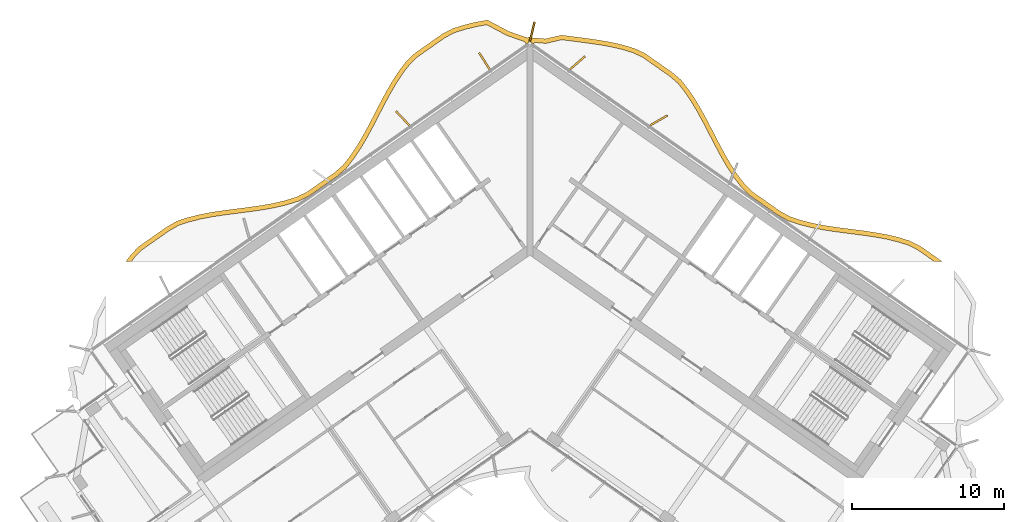
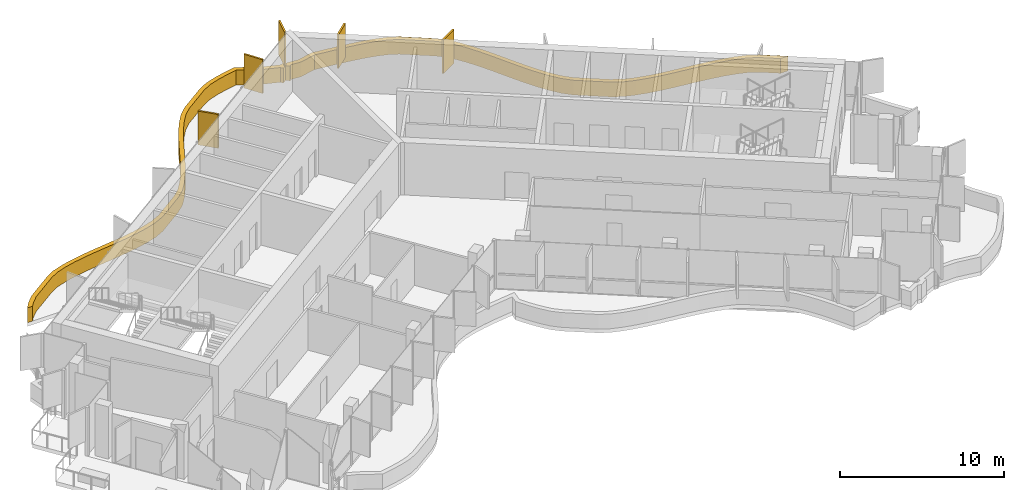
# One storey, part 17 of 18: 6 shading devices.
"""IFC4 building model written with IfcOpenShell, lengths in metres."""

from ifc_helpers import new_model, si_unit, direction, frame, origin, origin_2d, place, context, subcontext, project, spatial, polyline, rectangle, outline, extrude, material, layer, layer_set, type_object, element, save


model = new_model("IFC4")

# Units and contexts
model_context = context("Model", 3, precision=1e-05, world=origin(), true_north=direction((0.0, 1.0)))
body_context = subcontext(model_context, "Body", "Model", "MODEL_VIEW")
ifc_project = project(units=[si_unit("LENGTHUNIT", "METRE"), si_unit("AREAUNIT", "SQUARE_METRE"), si_unit("VOLUMEUNIT", "CUBIC_METRE"), si_unit("PLANEANGLEUNIT", "RADIAN"), si_unit("MASSUNIT", "GRAM", prefix="KILO")], contexts=[model_context])

# Site, building, storey
site_placement = place(None, origin())
site = spatial("IfcSite", under=ifc_project, at=site_placement, CompositionType="ELEMENT")
building_placement = place(site_placement, origin())
building = spatial("IfcBuilding", under=site, at=building_placement, Name="Tel Ilan Convention Tower", CompositionType="ELEMENT")
storey_placement = place(building_placement, frame((0.0, 0.0, 295.60009765625)))
storey = spatial("IfcBuildingStorey", under=building, at=storey_placement, Name="L70", CompositionType="ELEMENT", Elevation=295.60009765625)

# Shading devices
ifc_material_1 = material(Name="Aluminium, bronze anodised", Category="aluminium")
ifc_layer_1 = layer(ifc_material_1, 0.1201171875)
ifc_layer_set_1 = layer_set([ifc_layer_1], Name="FIN BRONZE 1300x120")
shading_device_type_1 = type_object("IfcShadingDeviceType", Name="FIN BRONZE 1300x120", PredefinedType="USERDEFINED", material=ifc_layer_set_1)
for number, where, z_axis, x_axis, name in (
    (1, (8.47509765625, 7.63330078125, 1.099853515625), (0.0, 0.0, 1.0), (0.866025403784, 0.5, 0.0), "FIN"),
    (2, (3.13037109375, 11.41357421875, 1.099853515625), (0.0, 0.0, 1.0), (0.753435896329, 0.657521368568, 0.0), "FIN"),
    (3, (0.156005859375, 13.463134765625, 1.099853515625), (0.0, 0.0, 1.0), (0.240039791311, 0.970763049661, 0.0), "FIN"),
    (4, (-2.98046875, 11.526611328125, 1.099853515625), (0.0, 0.0, 1.0), (-0.533204432798, 0.845986425922, 0.0), "FIN"),
    (5, (-8.3486328125, 7.767578125, 1.099853515625), (0.0, 0.0, 1.0), (-0.686241637865, 0.727373641577, 0.0), "FIN"),
):
    element("IfcShadingDevice", number, at=place(storey_placement, frame(where, z_axis=z_axis, x_axis=x_axis)), inside=storey, type_object=shading_device_type_1, Name=name, ObjectType="FIN", PredefinedType="USERDEFINED", context=body_context, shape_type="SweptSolid", body=[
        extrude(rectangle(XDim=1.300048828125, YDim=0.1201171875, at=origin_2d()), origin(), (0.0, 0.0, 1.0), 2.52001953125),
    ])
ifc_material_2 = material(Name="Aluminium, bronze anodised", Category="aluminium")
ifc_layer_2 = layer(ifc_material_2, 0.300048828125)
ifc_layer_set_2 = layer_set([ifc_layer_2], Name="LOUVRE BAND 300x1100")
shading_device_type_2 = type_object("IfcShadingDeviceType", Name="LOUVRE BAND 300x1100", PredefinedType="USERDEFINED", material=ifc_layer_set_2)
shading_device_placement = place(storey_placement, origin())
element("IfcShadingDevice", 6, at=shading_device_placement, inside=storey, type_object=shading_device_type_2, Name="LOUVRE BAND 53.02", ObjectType="LOUVRE", PredefinedType="USERDEFINED", context=body_context, shape_type="SweptSolid", body=[
    extrude(outline(polyline([(-1.357666015625, 13.472900390625), (-2.785888671875, 14.228515625), (-3.5830078125, 14.083251953125), (-4.3515625, 13.896484375), (-5.0849609375, 13.66015625), (-5.7421875, 13.314453125), (-7.552001953125, 12.047119140625), (-8.09423828125, 11.53759765625), (-8.56494140625, 10.925537109375), (-9.001220703125, 10.264404296875), (-9.410400390625, 9.564697265625), (-9.801025390625, 8.838623046875), (-10.564453125, 7.36083984375), (-10.95703125, 6.63720703125), (-11.369140625, 5.94189453125), (-11.809326171875, 5.28662109375), (-12.284912109375, 4.681640625), (-12.841552734375, 4.192626953125), (-14.6513671875, 2.92529296875), (-15.3232421875, 2.6005859375), (-16.0615234375, 2.370849609375), (-16.833984375, 2.18994140625), (-17.6328125, 2.046875), (-18.44970703125, 1.9296875), (-20.099365234375, 1.71728515625), (-20.91259765625, 1.594482421875), (-21.705322265625, 1.44287109375), (-22.4697265625, 1.250244140625), (-23.1982421875, 1.0068359375), (-23.84130859375, 0.64111328125), (-25.6513671875, -0.626220703125), (-26.1787109375, -1.1572265625), (-26.535888671875, -1.631591796875), (-26.160400390625, -1.631591796875), (-25.951416015625, -1.35400390625), (-25.457275390625, -0.856689453125), (-23.680908203125, 0.38720703125), (-23.075439453125, 0.7314453125), (-22.38525390625, 0.962158203125), (-21.640625, 1.14990234375), (-20.86181640625, 1.298828125), (-20.0576171875, 1.420166015625), (-18.409423828125, 1.63232421875), (-17.585205078125, 1.750732421875), (-16.773193359375, 1.89599609375), (-15.982666015625, 2.081298828125), (-15.212646484375, 2.320556640625), (-14.499267578125, 2.665771484375), (-12.656005859375, 3.956298828125), (-12.066162109375, 4.474609375), (-11.566650390625, 5.110107421875), (-11.115234375, 5.78173828125), (-10.696044921875, 6.4892578125), (-10.29931640625, 7.220458984375), (-9.535400390625, 8.69873046875), (-9.148681640625, 9.41796875), (-8.746337890625, 10.106201171875), (-8.320556640625, 10.751220703125), (-7.871337890625, 11.33544921875), (-7.3623046875, 11.813720703125), (-5.585693359375, 13.0576171875), (-4.96826171875, 13.382568359375), (-4.27001953125, 13.607666015625), (-3.520751953125, 13.78955078125), (-2.834228515625, 13.914794921875), (-1.477294921875, 13.19677734375), (-0.362060546875, 12.81201171875), (-0.24609375, 12.646728515625), (0.0, 12.818115234375), (0.24609375, 12.646728515625), (0.318603515625, 12.75), (1.040771484375, 12.687744140625), (2.10400390625, 12.9296875), (3.699462890625, 12.72509765625), (4.510009765625, 12.60986328125), (5.2978515625, 12.47119140625), (6.054443359375, 12.297119140625), (6.765625, 12.080078125), (7.40185546875, 11.785888671875), (9.17822265625, 10.5419921875), (9.708740234375, 10.0908203125), (10.16162109375, 9.521240234375), (10.5927734375, 8.885498046875), (10.9990234375, 8.204833984375), (11.38818359375, 7.49072265625), (12.151123046875, 6.014404296875), (12.54443359375, 5.2802734375), (12.958740234375, 4.567138671875), (13.403076171875, 3.8876953125), (13.891357421875, 3.245849609375), (14.459716796875, 2.693359375), (16.302978515625, 1.40283203125), (16.991455078125, 1.02587890625), (17.759521484375, 0.773681640625), (18.544921875, 0.579345703125), (19.353271484375, 0.42724609375), (20.176025390625, 0.3046875), (21.826416015625, 0.092529296875), (22.634765625, -0.025146484375), (23.4189453125, -0.167724609375), (24.1708984375, -0.34716796875), (24.873291015625, -0.569580078125), (25.496826171875, -0.88427734375), (26.56396484375, -1.631591796875), (27.087158203125, -1.631591796875), (25.6513671875, -0.626220703125), (24.987060546875, -0.290771484375), (24.2509765625, -0.057861328125), (23.480712890625, 0.1259765625), (22.68310546875, 0.27099609375), (21.8671875, 0.3896484375), (20.21728515625, 0.601806640625), (19.4033203125, 0.72314453125), (18.60888671875, 0.87255859375), (17.842529296875, 1.062255859375), (17.111328125, 1.30224609375), (16.46142578125, 1.657958984375), (14.6513671875, 2.92529296875), (14.116455078125, 3.4453125), (13.648193359375, 4.060791015625), (13.214111328125, 4.724609375), (12.806396484375, 5.426513671875), (12.416748046875, 6.154052734375), (11.653076171875, 7.631591796875), (11.259521484375, 8.353515625), (10.845947265625, 9.046875), (10.403564453125, 9.69921875), (9.925537109375, 10.300537109375), (9.36181640625, 10.77978515625), (7.552001953125, 12.047119140625), (6.872802734375, 12.361083984375), (6.132080078125, 12.587158203125), (5.357666015625, 12.765380859375), (4.55712890625, 12.90625), (3.739501953125, 13.0224609375), (2.08935546875, 13.234130859375), (1.02001953125, 12.99072265625), (0.168701171875, 13.059326171875), (0.11474609375, 13.09521484375), (0.0, 13.1181640625), (-0.11474609375, 13.09521484375), (-0.168701171875, 13.059326171875), (-1.357666015625, 13.472900390625)])), origin(), (0.0, 0.0, 1.0), 1.099853515625),
])

save(model, "model.ifc")
